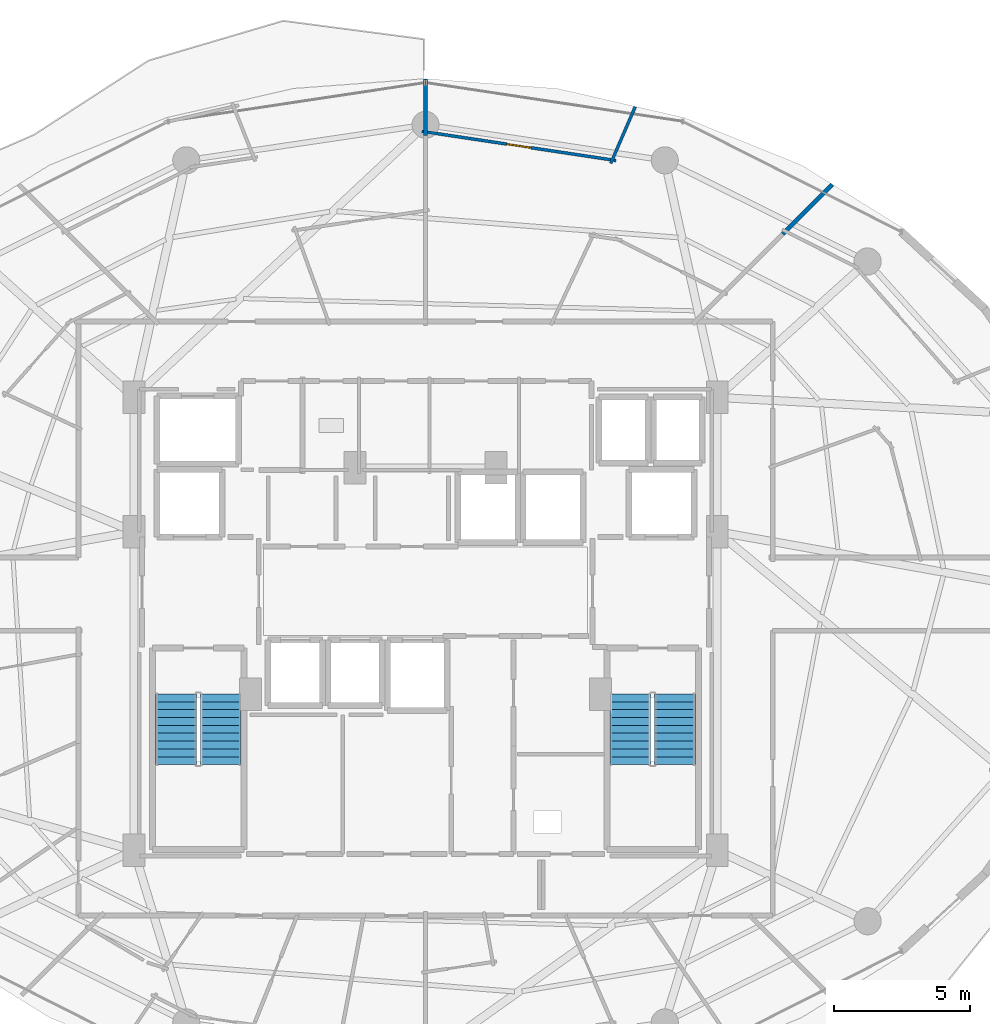
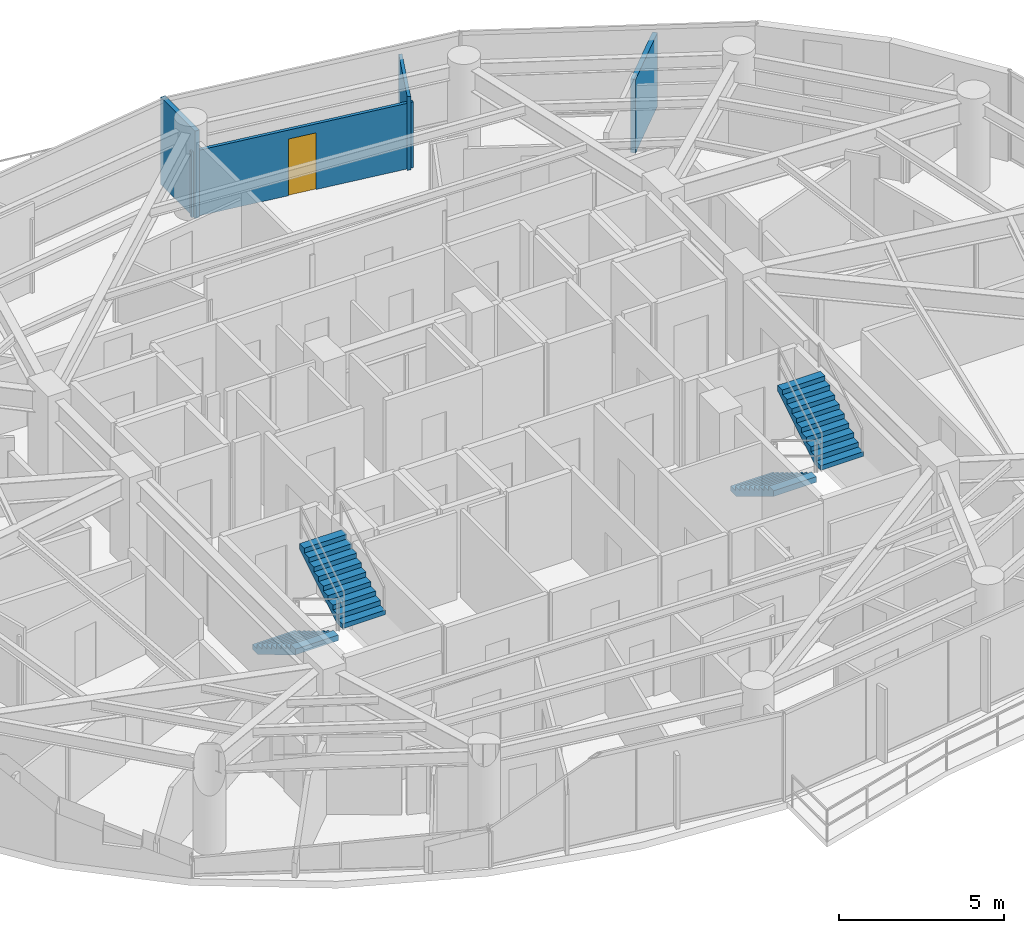
# One storey, part 27 of 31: 4 stair flights, 4 walls, 1 door, 1 opening, 2 elements without a shape of their own.
"""IFC4 building model written with IfcOpenShell, lengths in metres."""

import ifcopenshell
import ifcopenshell.guid

model = None  # the IFC model being written
_history = None  # IfcOwnerHistory: only IFC2X3 demands one
_inside = {}  # id of a spatial element -> (the spatial element, [elements in it])
_under = {}  # id of a project, library or spatial element -> (it, [spatial elements below it])
_declared = {}  # id of a project -> (the project, [libraries it declares])
_typed = {}  # id of a type object -> (the type object, [elements of that type])
_made_of = {}  # id of a material, layer set ... -> (it, [elements and type objects made of it])


def new_model(schema):
    """Start an empty IFC model of exactly this schema.

    Asked for "IFC4X3", IfcOpenShell would pick the latest addendum, in which some entities
    have other attributes; the version numbers below select the first issue.
    IFC2X3 requires an IfcOwnerHistory on every rooted entity: one is made here for all.
    """
    global model, _history
    if schema == "IFC4X3":
        model = ifcopenshell.file(schema_version=(4, 3, 0, 0))
    else:
        model = ifcopenshell.file(schema=schema)
    _inside.clear()
    _under.clear()
    _declared.clear()
    _typed.clear()
    _made_of.clear()
    _history = None
    if model.schema == "IFC2X3":
        org = make("IfcOrganization", Name="unknown")
        user = make(
            "IfcPersonAndOrganization",
            ThePerson=make("IfcPerson", FamilyName="unknown"),
            TheOrganization=org,
        )
        app = make(
            "IfcApplication",
            ApplicationDeveloper=org,
            Version="unknown",
            ApplicationFullName="unknown",
            ApplicationIdentifier="unknown",
        )
        _history = make(
            "IfcOwnerHistory",
            OwningUser=user,
            OwningApplication=app,
            ChangeAction="ADDED",
            CreationDate=0,
        )
    return model


def make(cls, **values):
    """One entity of the class cls with the attributes given. An attribute that is None is left unset."""
    return model.create_entity(
        cls, **{name: value for name, value in values.items() if value is not None}
    )


def rooted(cls, **values):
    """An entity with a GlobalId (a new one), such as an element, a storey or a relation."""
    return make(cls, GlobalId=ifcopenshell.guid.new(), OwnerHistory=_history, **values)


def si_unit(unit_type, name, prefix=None):
    """IfcSIUnit, for example si_unit("LENGTHUNIT", "METRE", prefix="MILLI")."""
    return make("IfcSIUnit", UnitType=unit_type, Prefix=prefix, Name=name)


def assignment(units):
    """IfcUnitAssignment: the units of a project."""
    return None if units is None else make("IfcUnitAssignment", Units=units)


def point(xyz):
    """IfcCartesianPoint."""
    return None if xyz is None else make("IfcCartesianPoint", Coordinates=xyz)


def direction(xyz):
    """IfcDirection."""
    return None if xyz is None else make("IfcDirection", DirectionRatios=xyz)


def frame(location, z_axis=None, x_axis=None):
    """IfcAxis2Placement3D, a coordinate frame: its origin and axes. An axis left out is left unset."""
    return make(
        "IfcAxis2Placement3D",
        Location=point(location),
        Axis=direction(z_axis),
        RefDirection=direction(x_axis),
    )


def frame_2d(location, x_axis=None):
    """IfcAxis2Placement2D, a coordinate frame in the plane: its origin and x axis."""
    return make(
        "IfcAxis2Placement2D", Location=point(location), RefDirection=direction(x_axis)
    )


def origin():
    """The frame at (0, 0, 0) with its axes left unset."""
    return frame((0.0, 0.0, 0.0))


def place(relative_to, where):
    """IfcLocalPlacement: puts the frame where relative to a parent placement (None: the world)."""
    return make(
        "IfcLocalPlacement", PlacementRelTo=relative_to, RelativePlacement=where
    )


def context(
    kind, dimensions, precision=None, world=None, true_north=None, identifier=None
):
    """IfcGeometricRepresentationContext, for example the 3D "Model" context."""
    return make(
        "IfcGeometricRepresentationContext",
        ContextIdentifier=identifier,
        ContextType=kind,
        CoordinateSpaceDimension=dimensions,
        Precision=precision,
        WorldCoordinateSystem=world,
        TrueNorth=true_north,
    )


def subcontext(parent, identifier, kind, view, scale=None):
    """IfcGeometricRepresentationSubContext, for example "Body" below "Model"."""
    return make(
        "IfcGeometricRepresentationSubContext",
        ContextIdentifier=identifier,
        ContextType=kind,
        ParentContext=parent,
        TargetScale=scale,
        TargetView=view,
    )


def project(units=None, contexts=None):
    """IfcProject with its units and contexts."""
    return rooted(
        "IfcProject",
        Name="project",
        RepresentationContexts=contexts,
        UnitsInContext=assignment(units),
    )


def spatial(cls, under=None, at=None, **own):
    """A site, building, storey or space (cls), placed at a placement, below another one or the project."""
    s = rooted(cls, ObjectPlacement=at, **own)
    if under is not None:
        _under.setdefault(under.id(), (under, []))[1].append(s)
    return s


def polyline(points):
    """IfcPolyline through the points."""
    return make("IfcPolyline", Points=[point(p) for p in points])


def profile(cls, at=None, kind="AREA", **sizes):
    """A parametric profile (cls). Its sizes go by their IFC names, for example OverallWidth=200.0."""
    return make(cls, ProfileType=kind, Position=at, **sizes)


def rectangle(**sizes):
    """IfcRectangleProfileDef."""
    return profile("IfcRectangleProfileDef", **sizes)


def outline(outer, holes=None, kind="AREA"):
    """IfcArbitraryClosedProfileDef: a profile drawn as a closed curve; with holes, ...WithVoids."""
    if holes is None:
        return make("IfcArbitraryClosedProfileDef", ProfileType=kind, OuterCurve=outer)
    return make(
        "IfcArbitraryProfileDefWithVoids",
        ProfileType=kind,
        OuterCurve=outer,
        InnerCurves=holes,
    )


def extrude(swept, where, along, depth):
    """IfcExtrudedAreaSolid: the profile swept, set in the frame where, extruded along a direction by depth."""
    return make(
        "IfcExtrudedAreaSolid",
        SweptArea=swept,
        Position=where,
        ExtrudedDirection=direction(along),
        Depth=depth,
    )


def shape(context_of_items, identifier, shape_type, items):
    """IfcShapeRepresentation: the items that make up one representation, for example the "Body"."""
    return make(
        "IfcShapeRepresentation",
        ContextOfItems=context_of_items,
        RepresentationIdentifier=identifier,
        RepresentationType=shape_type,
        Items=items,
    )


def material(Name=None, Category=None):
    """IfcMaterial."""
    return make("IfcMaterial", Name=Name, Category=Category)


def layer(
    of_material, thickness, ventilated=None, Name=None, Category=None, Priority=None
):
    """IfcMaterialLayer: one layer of a wall or slab, of a material (None: an air gap)."""
    return make(
        "IfcMaterialLayer",
        Material=of_material,
        LayerThickness=thickness,
        IsVentilated=ventilated,
        Name=Name,
        Category=Category,
        Priority=Priority,
    )


def layer_set(layers, Name=None):
    """IfcMaterialLayerSet."""
    return make("IfcMaterialLayerSet", MaterialLayers=layers, LayerSetName=Name)


def made_of(thing, what):
    """Note that an element or type object is made of a material, layer set ...; save() writes the relation."""
    if what is not None:
        _made_of.setdefault(what.id(), (what, []))[1].append(thing)
    return thing


def type_object(cls, material=None, **own):
    """A type object (cls), such as IfcWallType, which elements share."""
    return made_of(rooted(cls, **own), material)


def element(
    cls,
    number,
    at=None,
    inside=None,
    cuts=None,
    type_object=None,
    material=None,
    context=None,
    identifier="Body",
    shape_type=None,
    held_by="IfcProductDefinitionShape",
    body=None,
    shapes=None,
    **own,
):
    """One element of the class cls, such as IfcWall. Its Tag is "e" and its number.

    at: its placement. inside: the storey or other place that contains it. cuts: it is an
    opening in that element (IfcRelVoidsElement). A single representation is given by context,
    identifier, shape_type and body (its items); several are given by shapes. held_by: the class
    of the entity that holds the representations. save() writes the other relations.
    """
    e = rooted(cls, Tag="e%d" % number, ObjectPlacement=at, **own)
    if body is not None:
        shapes = [shape(context, identifier, shape_type, body)]
    if shapes is not None:
        e.Representation = make(held_by, Representations=shapes)
    if inside is not None:
        _inside.setdefault(inside.id(), (inside, []))[1].append(e)
    if cuts is not None:
        rooted(
            "IfcRelVoidsElement", RelatingBuildingElement=cuts, RelatedOpeningElement=e
        )
    if type_object is not None:
        _typed.setdefault(type_object.id(), (type_object, []))[1].append(e)
    return made_of(e, material)


def fill(opening, filler):
    """IfcRelFillsElement: the door or window that sits in an opening."""
    return rooted(
        "IfcRelFillsElement",
        RelatingOpeningElement=opening,
        RelatedBuildingElement=filler,
    )


def aggregate(whole, parts):
    """IfcRelAggregates: a whole, such as a stair, and the parts it consists of."""
    return rooted("IfcRelAggregates", RelatingObject=whole, RelatedObjects=parts)


def save(model, path):
    """Write the relations noted so far, then the file.

    IfcRelAggregates (storeys below a building ...), IfcRelContainedInSpatialStructure (elements
    in a storey), IfcRelDefinesByType, IfcRelAssociatesMaterial and IfcRelDeclares: one each for
    every whole, place, type object, material and project.
    """
    for whole, parts in _under.values():
        aggregate(whole, parts)
    for where, things in _inside.values():
        rooted(
            "IfcRelContainedInSpatialStructure",
            RelatedElements=things,
            RelatingStructure=where,
        )
    for kind, things in _typed.values():
        rooted("IfcRelDefinesByType", RelatedObjects=things, RelatingType=kind)
    for what, things in _made_of.values():
        rooted("IfcRelAssociatesMaterial", RelatedObjects=things, RelatingMaterial=what)
    for by, libraries in _declared.values():
        rooted("IfcRelDeclares", RelatingContext=by, RelatedDefinitions=libraries)
    model.write(path)


model = new_model("IFC4")

# Units and contexts
model_context = context("Model", 3, precision=1e-05, world=origin(), true_north=direction((0.0, 1.0)))
body_context = subcontext(model_context, "Body", "Model", "MODEL_VIEW")
ifc_project = project(units=[si_unit("LENGTHUNIT", "METRE"), si_unit("AREAUNIT", "SQUARE_METRE"), si_unit("VOLUMEUNIT", "CUBIC_METRE"), si_unit("PLANEANGLEUNIT", "RADIAN"), si_unit("MASSUNIT", "GRAM", prefix="KILO")], contexts=[model_context])

# Site, building, storey
site_placement = place(None, origin())
site = spatial("IfcSite", under=ifc_project, at=site_placement, CompositionType="ELEMENT")
building_placement = place(site_placement, origin())
building = spatial("IfcBuilding", under=site, at=building_placement, Name="Vorneva Point Tower", CompositionType="ELEMENT")
storey_placement = place(building_placement, frame((0.0, 0.0, 132.60009765625)))
storey = spatial("IfcBuildingStorey", under=building, at=storey_placement, Name="L35", CompositionType="ELEMENT", Elevation=132.60009765625)

# Wall, opening, door
ifc_material_1 = material(Name="Fire-rated acoustic gypsum stud partition", Category="gypsum")
ifc_layer_1 = layer(ifc_material_1, 0.110107421875)
ifc_layer_set_1 = layer_set([ifc_layer_1], Name="Fire-rated acoustic gypsum stud partition")
wall_type_1 = type_object("IfcWallType", Name="WL-PART-110", PredefinedType="PARTITIONING", material=ifc_layer_set_1)
wall_1_placement = place(storey_placement, frame((45.021484375, 41.88427734375, 0.0), z_axis=(0.0, 0.0, 1.0), x_axis=(-0.988887079739, 0.148668569392, 0.0)))
wall_1 = element("IfcWall", 1, at=wall_1_placement, inside=storey, type_object=wall_type_1, Name="L35 Interior Partition 082", PredefinedType="PARTITIONING", context=body_context, shape_type="SweptSolid", body=[
    extrude(rectangle(XDim=7.240478515625, YDim=0.110107421875, at=frame_2d((3.6201171875, 0.0))), origin(), (0.0, 0.0, 1.0), 2.431884765625),
])
opening_placement = place(wall_1_placement, frame((3.170166015625, 0.0, 0.0)))
opening = element("IfcOpeningElement", 2, at=opening_placement, cuts=wall_1, Name="Opening ID-01", PredefinedType="OPENING", context=body_context, shape_type="SweptSolid", body=[
    extrude(rectangle(XDim=0.89990234375, YDim=2.10009765625, at=frame_2d((0.449951171875, 1.050048828125))), frame((0.0, 0.06982421875, 0.0), z_axis=(0.0, -1.0, 0.0), x_axis=(1.0, 0.0, 0.0)), (0.0, 0.0, 1.0), 0.139892578125),
])
ifc_material_2 = material(Name="Engineered oak fire-rated door leaf", Category="wood")
door_type = type_object("IfcDoorType", Name="DR-ROOM-900", OperationType="NOTDEFINED", PredefinedType="DOOR", material=ifc_material_2)
door_placement = place(opening_placement, origin())
door = element("IfcDoor", 3, at=door_placement, inside=storey, type_object=door_type, Name="L35 Door Studio Apartment L35-02 / Kitchen L35-02", OperationType="SINGLE_SWING_RIGHT", OverallHeight=2.10009765625, OverallWidth=0.89990234375, PredefinedType="DOOR", context=body_context, shape_type="SweptSolid", body=[
    extrude(rectangle(XDim=0.89990234375, YDim=2.10009765625, at=frame_2d((0.449951171875, 1.050048828125))), frame((0.0, 0.02490234375, 0.0), z_axis=(0.0, -1.0, 0.0), x_axis=(1.0, 0.0, 0.0)), (0.0, 0.0, 1.0), 0.050048828125),
])
fill(opening, door)

# Walls
wall_2_placement = place(storey_placement, frame((45.731689453125, 43.866455078125, 0.0), z_axis=(0.0, 0.0, 1.0), x_axis=(-0.397125966554, -0.91776411277, 0.0)))
element("IfcWall", 4, at=wall_2_placement, inside=storey, type_object=wall_type_1, Name="L35 Interior Partition 083", PredefinedType="PARTITIONING", context=body_context, shape_type="SweptSolid", body=[
    extrude(rectangle(XDim=2.277099609375, YDim=0.110107421875, at=frame_2d((1.138671875, 0.0))), origin(), (0.0, 0.0, 1.0), 2.727783203125),
])
ifc_layer_2 = layer(ifc_material_1, 0.159912109375)
ifc_layer_set_2 = layer_set([ifc_layer_2], Name="Fire-rated acoustic gypsum stud partition")
wall_type_2 = type_object("IfcWallType", Name="WL-PART-160", PredefinedType="PARTITIONING", material=ifc_layer_set_2)
wall_3_placement = place(storey_placement, frame((52.993896484375, 40.993896484375, 0.0), z_axis=(0.0, 0.0, 1.0), x_axis=(-0.707106781187, -0.707106781187, 0.0)))
element("IfcWall", 5, at=wall_3_placement, inside=storey, type_object=wall_type_2, Name="L35 Interior Partition 078", PredefinedType="PARTITIONING", context=body_context, shape_type="SweptSolid", body=[
    extrude(rectangle(XDim=2.572265625, YDim=0.159912109375, at=frame_2d((1.2861328125, 0.0))), origin(), (0.0, 0.0, 1.0), 2.727783203125),
])
wall_4_placement = place(storey_placement, frame((38.0, 44.889892578125, 0.0), z_axis=(0.0, 0.0, 1.0), x_axis=(0.0, -1.0, 0.0)))
element("IfcWall", 6, at=wall_4_placement, inside=storey, type_object=wall_type_2, Name="L35 Interior Partition 086", PredefinedType="PARTITIONING", context=body_context, shape_type="SweptSolid", body=[
    extrude(rectangle(XDim=2.08984375, YDim=0.159912109375, at=frame_2d((1.044921875, 0.0))), origin(), (0.0, 0.0, 1.0), 3.239990234375),
])

# Stair, stair flights
ifc_material_3 = material(Name="Concrete B50 (C40/50)", Category="concrete")
stair_type = type_object("IfcStairType", Name="ST-DOG-1500", PredefinedType="HALF_TURN_STAIR", material=ifc_material_3)
stair_1_placement = place(storey_placement, origin())
stair_1 = element("IfcStair", 7, at=stair_1_placement, inside=storey, type_object=stair_type, Name="L35 ST1", PredefinedType="HALF_TURN_STAIR")
stair_flight_type = type_object("IfcStairFlightType", Name="STF-1500", PredefinedType="STRAIGHT", material=ifc_material_3)
stair_flight_1_placement = place(storey_placement, frame((28.800048828125, 22.219970703125, 0.0), z_axis=(0.0, 0.0, 1.0), x_axis=(0.0, -1.0, 0.0)))
stair_flight_1 = element("IfcStairFlight", 8, at=stair_flight_1_placement, type_object=stair_flight_type, Name="ST1 flight 1", NumberOfRisers=10, NumberOfTreads=9, PredefinedType="STRAIGHT", RiserHeight=0.175, TreadLength=0.29, context=body_context, shape_type="SweptSolid", body=[
    extrude(outline(polyline([(0.0, 0.0), (0.0, 0.175048828125), (0.2900390625, 0.175048828125), (0.2900390625, 0.35009765625), (0.580078125, 0.35009765625), (0.580078125, 0.52490234375), (0.8701171875, 0.52490234375), (0.8701171875, 0.699951171875), (1.159912109375, 0.699951171875), (1.159912109375, 0.875), (1.449951171875, 0.875), (1.449951171875, 1.050048828125), (1.739990234375, 1.050048828125), (1.739990234375, 1.22509765625), (2.030029296875, 1.22509765625), (2.030029296875, 1.39990234375), (2.320068359375, 1.39990234375), (2.320068359375, 1.574951171875), (2.610107421875, 1.574951171875), (2.610107421875, 1.75), (2.610107421875, 1.36474609375), (0.34814453125, 0.0), (0.0, 0.0)])), frame((0.0, 0.75, 0.0), z_axis=(0.0, -1.0, 0.0), x_axis=(1.0, 0.0, 0.0)), (0.0, 0.0, 1.0), 1.5),
])
stair_flight_2_placement = place(storey_placement, frame((30.449951171875, 19.610107421875, 1.75), z_axis=(0.0, 0.0, 1.0), x_axis=(0.0, 1.0, 0.0)))
stair_flight_2 = element("IfcStairFlight", 9, at=stair_flight_2_placement, type_object=stair_flight_type, Name="ST1 flight 2", NumberOfRisers=10, NumberOfTreads=9, PredefinedType="STRAIGHT", RiserHeight=0.175, TreadLength=0.29, context=body_context, shape_type="SweptSolid", body=[
    extrude(outline(polyline([(0.0, 0.0), (0.0, 0.175048828125), (0.2900390625, 0.175048828125), (0.2900390625, 0.35009765625), (0.580078125, 0.35009765625), (0.580078125, 0.52490234375), (0.8701171875, 0.52490234375), (0.8701171875, 0.699951171875), (1.159912109375, 0.699951171875), (1.159912109375, 0.875), (1.449951171875, 0.875), (1.449951171875, 1.050048828125), (1.739990234375, 1.050048828125), (1.739990234375, 1.22509765625), (2.030029296875, 1.22509765625), (2.030029296875, 1.39990234375), (2.320068359375, 1.39990234375), (2.320068359375, 1.574951171875), (2.610107421875, 1.574951171875), (2.610107421875, 1.75), (2.610107421875, 1.36474609375), (0.34814453125, 0.0), (0.0, 0.0)])), frame((0.0, 0.75, 0.0), z_axis=(0.0, -1.0, 0.0), x_axis=(1.0, 0.0, 0.0)), (0.0, 0.0, 1.0), 1.5),
])
aggregate(stair_1, [stair_flight_1, stair_flight_2])

stair_2_placement = place(storey_placement, origin())
stair_2 = element("IfcStair", 10, at=stair_2_placement, inside=storey, type_object=stair_type, Name="L35 ST2", PredefinedType="HALF_TURN_STAIR")
stair_flight_3_placement = place(storey_placement, frame((45.550048828125, 22.219970703125, 0.0), z_axis=(0.0, 0.0, 1.0), x_axis=(0.0, -1.0, 0.0)))
stair_flight_3 = element("IfcStairFlight", 11, at=stair_flight_3_placement, type_object=stair_flight_type, Name="ST2 flight 1", NumberOfRisers=10, NumberOfTreads=9, PredefinedType="STRAIGHT", RiserHeight=0.175, TreadLength=0.29, context=body_context, shape_type="SweptSolid", body=[
    extrude(outline(polyline([(0.0, 0.0), (0.0, 0.175048828125), (0.2900390625, 0.175048828125), (0.2900390625, 0.35009765625), (0.580078125, 0.35009765625), (0.580078125, 0.52490234375), (0.8701171875, 0.52490234375), (0.8701171875, 0.699951171875), (1.159912109375, 0.699951171875), (1.159912109375, 0.875), (1.449951171875, 0.875), (1.449951171875, 1.050048828125), (1.739990234375, 1.050048828125), (1.739990234375, 1.22509765625), (2.030029296875, 1.22509765625), (2.030029296875, 1.39990234375), (2.320068359375, 1.39990234375), (2.320068359375, 1.574951171875), (2.610107421875, 1.574951171875), (2.610107421875, 1.75), (2.610107421875, 1.36474609375), (0.34814453125, 0.0), (0.0, 0.0)])), frame((0.0, 0.75, 0.0), z_axis=(0.0, -1.0, 0.0), x_axis=(1.0, 0.0, 0.0)), (0.0, 0.0, 1.0), 1.5),
])
stair_flight_4_placement = place(storey_placement, frame((47.199951171875, 19.610107421875, 1.75), z_axis=(0.0, 0.0, 1.0), x_axis=(0.0, 1.0, 0.0)))
stair_flight_4 = element("IfcStairFlight", 12, at=stair_flight_4_placement, type_object=stair_flight_type, Name="ST2 flight 2", NumberOfRisers=10, NumberOfTreads=9, PredefinedType="STRAIGHT", RiserHeight=0.175, TreadLength=0.29, context=body_context, shape_type="SweptSolid", body=[
    extrude(outline(polyline([(0.0, 0.0), (0.0, 0.175048828125), (0.2900390625, 0.175048828125), (0.2900390625, 0.35009765625), (0.580078125, 0.35009765625), (0.580078125, 0.52490234375), (0.8701171875, 0.52490234375), (0.8701171875, 0.699951171875), (1.159912109375, 0.699951171875), (1.159912109375, 0.875), (1.449951171875, 0.875), (1.449951171875, 1.050048828125), (1.739990234375, 1.050048828125), (1.739990234375, 1.22509765625), (2.030029296875, 1.22509765625), (2.030029296875, 1.39990234375), (2.320068359375, 1.39990234375), (2.320068359375, 1.574951171875), (2.610107421875, 1.574951171875), (2.610107421875, 1.75), (2.610107421875, 1.36474609375), (0.34814453125, 0.0), (0.0, 0.0)])), frame((0.0, 0.75, 0.0), z_axis=(0.0, -1.0, 0.0), x_axis=(1.0, 0.0, 0.0)), (0.0, 0.0, 1.0), 1.5),
])
aggregate(stair_2, [stair_flight_3, stair_flight_4])

save(model, "model.ifc")
